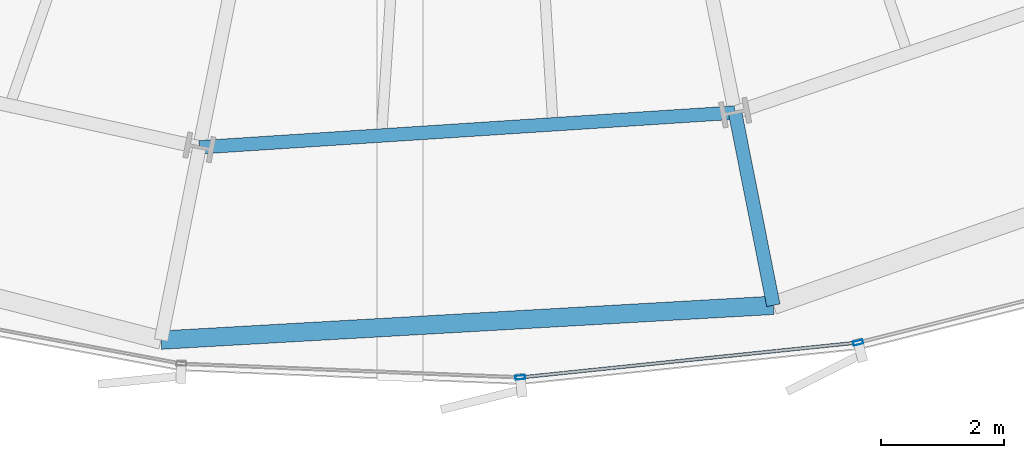
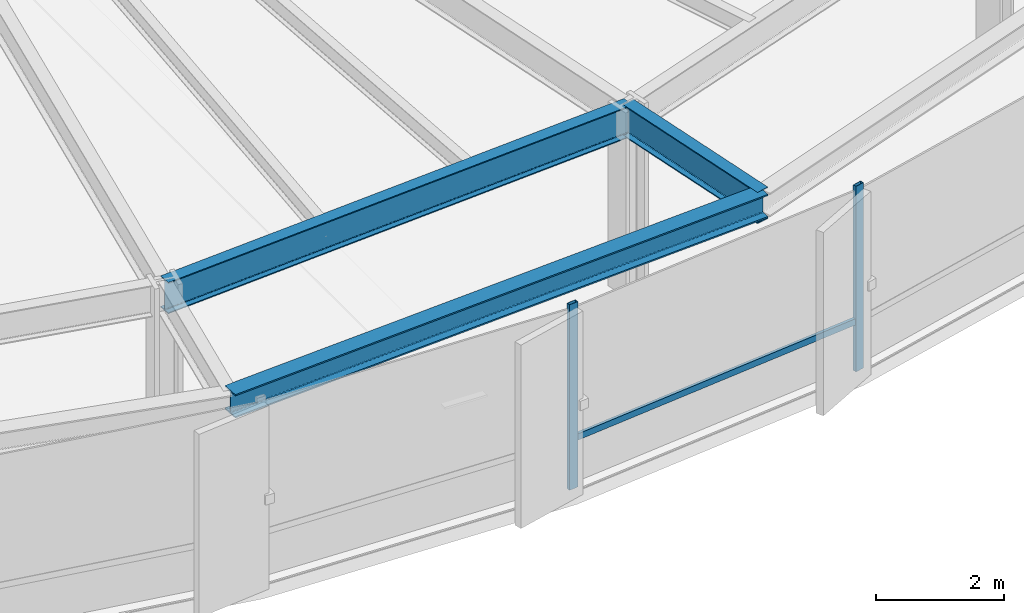
# One storey, part 11 of 42: 3 beams, 3 members, 1 element without a shape of its own.
"""IFC4 building model written with IfcOpenShell, lengths in metres."""

from ifc_helpers import new_model, si_unit, direction, frame, origin, origin_2d, place, context, subcontext, project, spatial, hollow_rectangle, i_section, extrude, source, transform, mapped, material, layer, layer_set, material_profile, profile_set, type_object, element, aggregate, save


model = new_model("IFC4")

# Units and contexts
model_context = context("Model", 3, precision=1e-05, world=origin(), true_north=direction((0.0, 1.0)))
body_context = subcontext(model_context, "Body", "Model", "MODEL_VIEW")
ifc_project = project(units=[si_unit("LENGTHUNIT", "METRE"), si_unit("AREAUNIT", "SQUARE_METRE"), si_unit("VOLUMEUNIT", "CUBIC_METRE"), si_unit("PLANEANGLEUNIT", "RADIAN"), si_unit("MASSUNIT", "GRAM", prefix="KILO"), si_unit("THERMODYNAMICTEMPERATUREUNIT", "KELVIN")], contexts=[model_context])

# Site, building, storey
site_placement = place(None, origin())
site = spatial("IfcSite", under=ifc_project, at=site_placement, CompositionType="ELEMENT")
building_placement = place(site_placement, origin())
building = spatial("IfcBuilding", under=site, at=building_placement, Name="Kethvar Cultural Tower", CompositionType="ELEMENT")
storey_placement = place(building_placement, frame((0.0, 0.0, 37.199951171875)))
storey = spatial("IfcBuildingStorey", under=building, at=storey_placement, Name="L08", CompositionType="ELEMENT", Elevation=37.199951171875)

# Beams
ifc_material_1 = material(Name="Steel S355J2", Category="steel")
ifc_material_profile_1 = material_profile(ifc_material_1, i_section(OverallWidth=0.219970703125, OverallDepth=0.60009765625, WebThickness=0.011962890625, FlangeThickness=0.01904296875, FilletRadius=0.02392578125, at=origin_2d()), Name="Steel S355J2 — IPE600")
ifc_profile_set_1 = profile_set([ifc_material_profile_1], Name="Steel S355J2 — IPE600")
beam_type_1 = type_object("IfcBeamType", Name="BM-IPE600", PredefinedType="BEAM", material=ifc_profile_set_1)
shared_shape_1 = source(origin(), body_context, "Body", "SweptSolid", [
    extrude(i_section(OverallWidth=0.219970703125, OverallDepth=0.60009765625, WebThickness=0.011962890625, FlangeThickness=0.01904296875, FilletRadius=0.02392578125, at=origin_2d()), origin(), (0.0, 0.0, 1.0), 3.199951171875),
])
beam_1_placement = place(storey_placement, frame((51.10400390625, 6.16259765625, 3.248046875), z_axis=(0.195088965533, -0.980785550224, 0.0), x_axis=(0.980785550224, 0.195088965533, 0.0)))
element("IfcBeam", 1, at=beam_1_placement, inside=storey, type_object=beam_type_1, Name="L08 Perimeter Cantilever Beam RC-13", PredefinedType="BEAM", context=body_context, shape_type="MappedRepresentation", body=[
    mapped(shared_shape_1, transform((0.0, 0.0, 0.0), scale=1.0)),
])
shared_shape_2 = source(origin(), body_context, "Body", "SweptSolid", [
    extrude(i_section(OverallWidth=0.219970703125, OverallDepth=0.60009765625, WebThickness=0.011962890625, FlangeThickness=0.01904296875, FilletRadius=0.02392578125, at=origin_2d()), origin(), (0.0, 0.0, 1.0), 8.739013671875),
])
beam_2_placement = place(storey_placement, frame((42.38330078125, 5.59619140625, 3.248046875), z_axis=(0.997897424084, 0.064813046581, 0.0), x_axis=(-0.064813046581, 0.997897424084, 0.0)))
element("IfcBeam", 2, at=beam_2_placement, inside=storey, type_object=beam_type_1, Name="L08 Column Ring Tie Beam CR-12", PredefinedType="BEAM", context=body_context, shape_type="MappedRepresentation", body=[
    mapped(shared_shape_2, transform((0.0, 0.0, 0.0), scale=1.0)),
])
ifc_material_profile_2 = material_profile(ifc_material_1, i_section(OverallWidth=0.300048828125, OverallDepth=0.449951171875, WebThickness=0.013916015625, FlangeThickness=0.02587890625, FilletRadius=0.027099609375, at=origin_2d()), Name="Steel S355J2 — HEB450")
ifc_profile_set_2 = profile_set([ifc_material_profile_2], Name="Steel S355J2 — HEB450")
beam_type_2 = type_object("IfcBeamType", Name="BM-SP450", PredefinedType="SPANDREL", material=ifc_profile_set_2)
shared_shape_3 = source(origin(), body_context, "Body", "SweptSolid", [
    extrude(i_section(OverallWidth=0.300048828125, OverallDepth=0.449951171875, WebThickness=0.013916015625, FlangeThickness=0.02587890625, FilletRadius=0.027099609375, at=origin_2d()), origin(), (0.0, 0.0, 1.0), 9.9853515625),
])
beam_3_placement = place(storey_placement, frame((41.759033203125, 2.45751953125, 3.322998046875), z_axis=(0.998388517249, 0.056748291829, 0.0), x_axis=(-0.056748291829, 0.998388517249, 0.0)))
element("IfcBeam", 3, at=beam_3_placement, inside=storey, type_object=beam_type_2, Name="L08 Perimeter Spandrel Beam SP-12", PredefinedType="SPANDREL", context=body_context, shape_type="MappedRepresentation", body=[
    mapped(shared_shape_3, transform((0.0, 0.0, 0.0), scale=1.0)),
])

# Curtain wall, members
ifc_material_2 = material(Name="Aluminium 6063-T6", Category="aluminium")
ifc_layer = layer(ifc_material_2, 0.179931640625, Name="Aluminium 6063-T6", Category="aluminium")
ifc_layer_set = layer_set([ifc_layer], Name="Aluminium 6063-T6 (180 mm)")
curtain_wall_type = type_object("IfcCurtainWallType", Name="CW-SYS-02-Z1", PredefinedType="NOTDEFINED", material=ifc_layer_set)
curtain_wall_placement = place(storey_placement, origin())
curtain_wall = element("IfcCurtainWall", 4, at=curtain_wall_placement, inside=storey, type_object=curtain_wall_type, Name="L08 Curtain Wall Run 05", PredefinedType="NOTDEFINED")
ifc_material_profile_3 = material_profile(ifc_material_2, hollow_rectangle(XDim=0.06494140625, YDim=0.159912109375, WallThickness=0.0048828125, at=origin_2d()), Name="Aluminium 6063-T6 — RHS160x65x5")
ifc_profile_set_3 = profile_set([ifc_material_profile_3], Name="Aluminium 6063-T6 — RHS160x65x5")
member_type_1 = type_object("IfcMemberType", Name="CW-SYS-02-Z1-MUL", PredefinedType="MULLION", material=ifc_profile_set_3)
shared_shape_4 = source(origin(), body_context, "Body", "SweptSolid", [
    extrude(hollow_rectangle(XDim=0.06494140625, YDim=0.159912109375, WallThickness=0.0048828125, at=origin_2d()), origin(), (0.0, 0.0, 1.0), 3.550048828125),
])
member_1_placement = place(storey_placement, frame((47.60693359375, 1.849853515625, 0.0), z_axis=(0.0, 0.0, 1.0), x_axis=(-0.10272309318, 0.994709990966, 0.0)))
member_1 = element("IfcMember", 5, at=member_1_placement, type_object=member_type_1, Name="CW-L08-R05 Mullion 4", PredefinedType="MULLION", context=body_context, shape_type="MappedRepresentation", body=[
    mapped(shared_shape_4, transform((0.0, 0.0, 0.0), scale=1.0)),
])
member_2_placement = place(storey_placement, frame((53.108642578125, 2.416748046875, 0.0), z_axis=(0.0, 0.0, 1.0), x_axis=(-0.243631939209, 0.969867763253, 0.0)))
member_2 = element("IfcMember", 6, at=member_2_placement, type_object=member_type_1, Name="CW-L08-R05 Mullion 5", PredefinedType="MULLION", context=body_context, shape_type="MappedRepresentation", body=[
    mapped(shared_shape_4, transform((0.0, 0.0, 0.0), scale=1.0)),
])
ifc_material_profile_4 = material_profile(ifc_material_2, hollow_rectangle(XDim=0.054931640625, YDim=0.1201171875, WallThickness=0.00390625, at=origin_2d()), Name="Aluminium 6063-T6 — RHS120x55x4")
ifc_profile_set_4 = profile_set([ifc_material_profile_4], Name="Aluminium 6063-T6 — RHS120x55x4")
member_type_2 = type_object("IfcMemberType", Name="CW-SYS-02-Z1-TRN", PredefinedType="USERDEFINED", material=ifc_profile_set_4)
shared_shape_5 = source(origin(), body_context, "Body", "SweptSolid", [
    extrude(hollow_rectangle(XDim=0.054931640625, YDim=0.1201171875, WallThickness=0.00390625, at=origin_2d()), origin(), (0.0, 0.0, 1.0), 5.4541015625),
])
member_3_placement = place(storey_placement, frame((47.653564453125, 1.8544921875, 0.949951171875), z_axis=(0.994709315697, 0.102729631875, 0.0), x_axis=(-0.102729631875, 0.994709315697, 0.0)))
member_3 = element("IfcMember", 7, at=member_3_placement, type_object=member_type_2, Name="CW-L08-R05 Transom 4", ObjectType="TRANSOM", PredefinedType="USERDEFINED", context=body_context, shape_type="MappedRepresentation", body=[
    mapped(shared_shape_5, transform((0.0, 0.0, 0.0), scale=1.0)),
])
aggregate(curtain_wall, [member_1, member_2, member_3])

save(model, "model.ifc")
